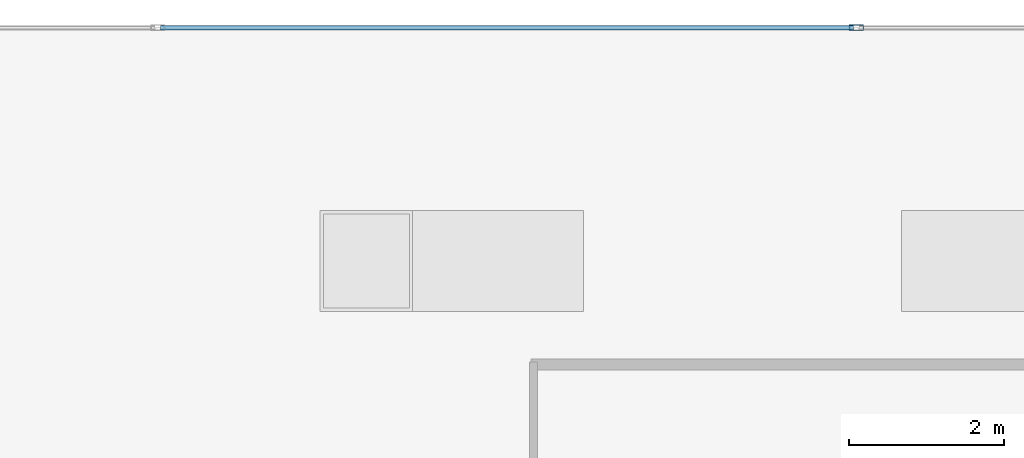
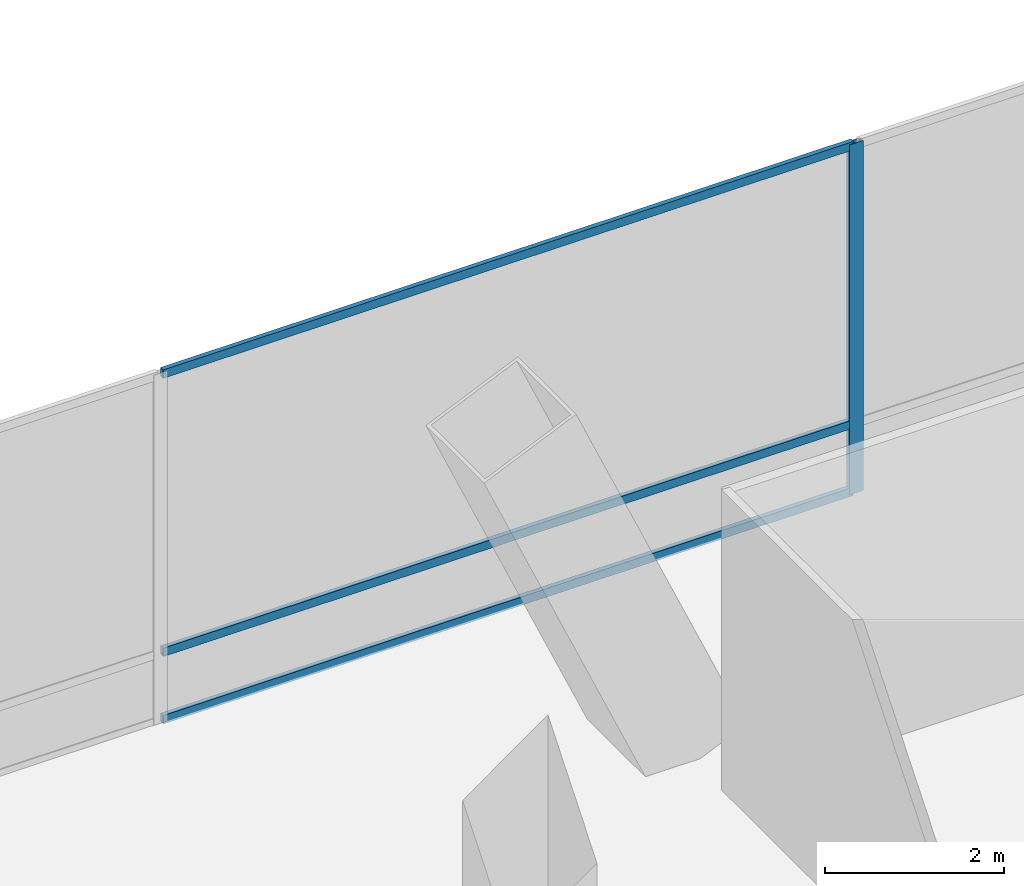
# One storey, part 24 of 42: 4 members, 1 element without a shape of its own.
"""IFC4 building model written with IfcOpenShell, lengths in metres."""

from ifc_helpers import new_model, si_unit, direction, frame, origin, origin_2d, place, context, subcontext, project, spatial, hollow_rectangle, extrude, material, layer, layer_set, material_profile, profile_set, type_object, element, aggregate, save


model = new_model("IFC4")

# Units and contexts
model_context = context("Model", 3, precision=1e-05, world=origin(), true_north=direction((0.0, 1.0)))
body_context = subcontext(model_context, "Body", "Model", "MODEL_VIEW")
ifc_project = project(units=[si_unit("LENGTHUNIT", "METRE"), si_unit("AREAUNIT", "SQUARE_METRE"), si_unit("VOLUMEUNIT", "CUBIC_METRE"), si_unit("PLANEANGLEUNIT", "RADIAN"), si_unit("MASSUNIT", "GRAM", prefix="KILO")], contexts=[model_context])

# Site, building, storey
site_placement = place(None, origin())
site = spatial("IfcSite", under=ifc_project, at=site_placement, CompositionType="ELEMENT")
building_placement = place(site_placement, origin())
building = spatial("IfcBuilding", under=site, at=building_placement, Name="Qianvela Tower", CompositionType="ELEMENT")
storey_placement = place(building_placement, frame((0.0, 0.0, 6.0)))
storey = spatial("IfcBuildingStorey", under=building, at=storey_placement, Name="L01", CompositionType="ELEMENT", Elevation=6.0)

# Curtain wall, members
ifc_material_1 = material(Name="Anodised Architectural Aluminium and Low-E Glass", Category="aluminium")
ifc_layer = layer(ifc_material_1, 0.179931640625)
ifc_layer_set = layer_set([ifc_layer], Name="Anodised Architectural Aluminium and Low-E Glass")
curtain_wall_type = type_object("IfcCurtainWallType", Name="CW-COMMONS", PredefinedType="USERDEFINED", material=ifc_layer_set)
curtain_wall_placement = place(storey_placement, origin())
curtain_wall = element("IfcCurtainWall", 1, at=curtain_wall_placement, inside=storey, type_object=curtain_wall_type, Name="L01 CW-COMMONS Curtain Wall 05", ObjectType="CURTAIN_WALL_SYSTEM", PredefinedType="USERDEFINED")
ifc_material_2 = material(Name="Anodised Architectural Aluminium 6063-T6", Category="aluminium")
ifc_material_profile_1 = material_profile(ifc_material_2, hollow_rectangle(XDim=0.070068359375, YDim=0.179931640625, WallThickness=0.0048828125, at=origin_2d()), Name="ALU-MULL-70x180")
ifc_profile_set_1 = profile_set([ifc_material_profile_1], Name="Anodised Architectural Aluminium 6063-T6")
member_type_1 = type_object("IfcMemberType", Name="CW-COMMONS-MULL", PredefinedType="MULLION", material=ifc_profile_set_1)
member_1_placement = place(storey_placement, frame((59.96435546875, 50.5, 0.0), z_axis=(0.0, 0.0, 1.0), x_axis=(0.0, -1.0, 0.0)))
member_1 = element("IfcMember", 2, at=member_1_placement, type_object=member_type_1, Name="CW-2 mullion 2", PredefinedType="MULLION", context=body_context, shape_type="SweptSolid", body=[
    extrude(hollow_rectangle(XDim=0.070068359375, YDim=0.179931640625, WallThickness=0.0048828125, at=origin_2d()), origin(), (0.0, 0.0, 1.0), 4.780029296875),
])
ifc_material_3 = material(Name="Anodised Architectural Aluminium 6063-T6", Category="aluminium")
ifc_material_profile_2 = material_profile(ifc_material_3, hollow_rectangle(XDim=0.06005859375, YDim=0.114990234375, WallThickness=0.00390625, at=origin_2d()), Name="ALU-TRAN-60x115")
ifc_profile_set_2 = profile_set([ifc_material_profile_2], Name="Anodised Architectural Aluminium 6063-T6")
member_type_2 = type_object("IfcMemberType", Name="CW-COMMONS-TRAN", PredefinedType="USERDEFINED", material=ifc_profile_set_2)
member_2_placement = place(storey_placement, frame((59.92919921875, 50.5, 0.030029296875), z_axis=(-1.0, 0.0, 0.0), x_axis=(0.0, -1.0, 0.0)))
member_2 = element("IfcMember", 3, at=member_2_placement, type_object=member_type_2, Name="CW-2 transom 2.1", ObjectType="TRANSOM", PredefinedType="USERDEFINED", context=body_context, shape_type="SweptSolid", body=[
    extrude(hollow_rectangle(XDim=0.06005859375, YDim=0.114990234375, WallThickness=0.00390625, at=origin_2d()), origin(), (0.0, 0.0, 1.0), 8.91552734375),
])
member_3_placement = place(storey_placement, frame((59.92919921875, 50.5, 0.949951171875), z_axis=(-1.0, 0.0, 0.0), x_axis=(0.0, -1.0, 0.0)))
member_3 = element("IfcMember", 4, at=member_3_placement, type_object=member_type_2, Name="CW-2 transom 2.2", ObjectType="TRANSOM", PredefinedType="USERDEFINED", context=body_context, shape_type="SweptSolid", body=[
    extrude(hollow_rectangle(XDim=0.06005859375, YDim=0.114990234375, WallThickness=0.00390625, at=origin_2d()), origin(), (0.0, 0.0, 1.0), 8.91552734375),
])
member_4_placement = place(storey_placement, frame((59.92919921875, 50.5, 4.75), z_axis=(-1.0, 0.0, 0.0), x_axis=(0.0, -1.0, 0.0)))
member_4 = element("IfcMember", 5, at=member_4_placement, type_object=member_type_2, Name="CW-2 transom 2.3", ObjectType="TRANSOM", PredefinedType="USERDEFINED", context=body_context, shape_type="SweptSolid", body=[
    extrude(hollow_rectangle(XDim=0.06005859375, YDim=0.114990234375, WallThickness=0.00390625, at=origin_2d()), origin(), (0.0, 0.0, 1.0), 8.91552734375),
])
aggregate(curtain_wall, [member_1, member_2, member_3, member_4])

save(model, "model.ifc")
